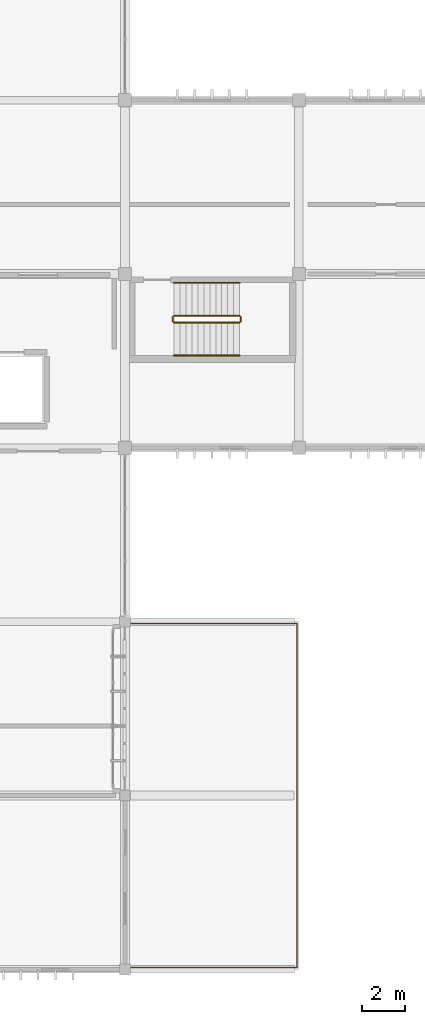
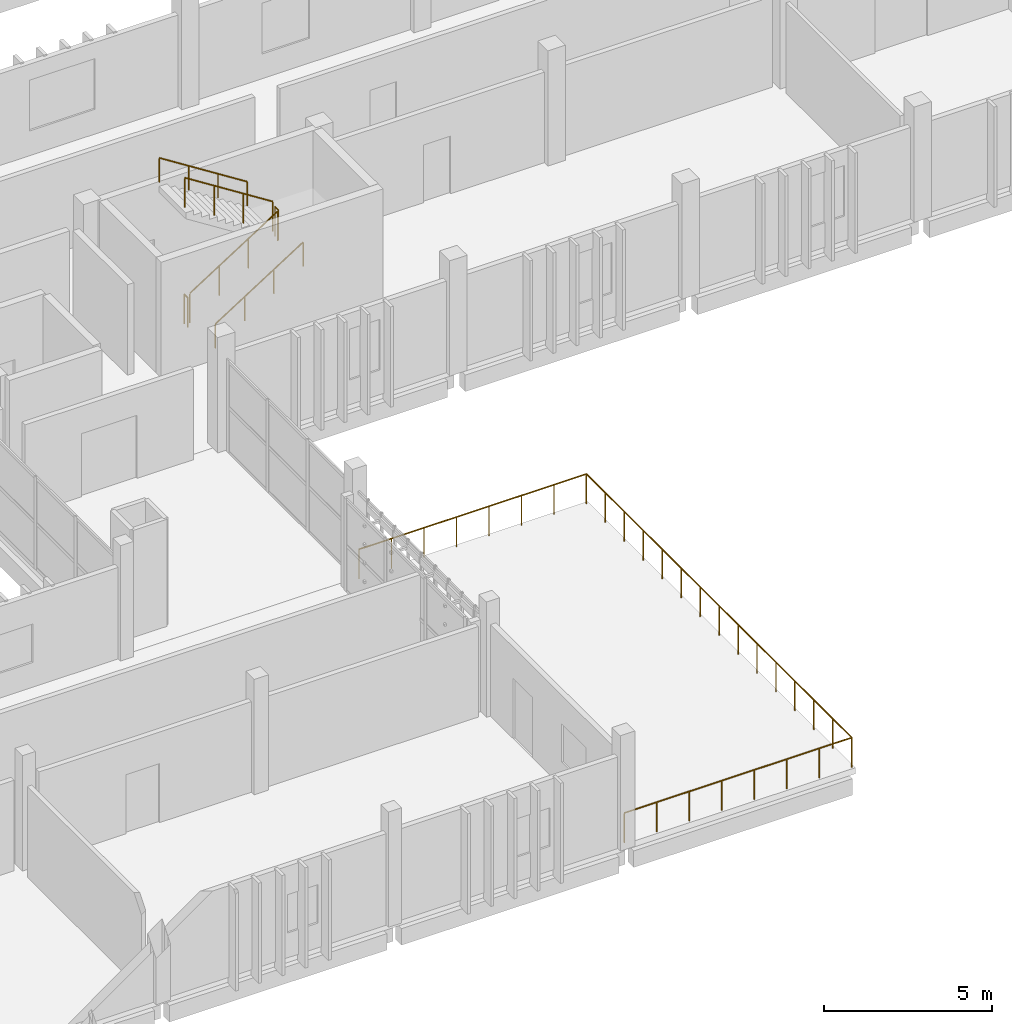
# One storey, part 62 of 63: 7 railings.
"""IFC4 building model written with IfcOpenShell, lengths in metres."""

from ifc_helpers import new_model, si_unit, direction, frame, origin, origin_2d, place, context, subcontext, project, spatial, circle, extrude, material, type_object, element, save


model = new_model("IFC4")

# Units and contexts
model_context = context("Model", 3, precision=1e-05, world=origin(), true_north=direction((0.0, 1.0)))
body_context = subcontext(model_context, "Body", "Model", "MODEL_VIEW")
ifc_project = project(units=[si_unit("LENGTHUNIT", "METRE"), si_unit("AREAUNIT", "SQUARE_METRE"), si_unit("VOLUMEUNIT", "CUBIC_METRE"), si_unit("PLANEANGLEUNIT", "RADIAN"), si_unit("MASSUNIT", "GRAM", prefix="KILO")], contexts=[model_context])

# Site, building, storey
site_placement = place(None, origin())
site = spatial("IfcSite", under=ifc_project, at=site_placement, CompositionType="ELEMENT")
building_placement = place(site_placement, origin())
building = spatial("IfcBuilding", under=site, at=building_placement, Name="Jelvoka-Kovrelna Polytechnic", CompositionType="ELEMENT")
storey_placement = place(building_placement, frame((0.0, 0.0, 18.0)))
storey = spatial("IfcBuildingStorey", under=building, at=storey_placement, Name="L05", CompositionType="ELEMENT", Elevation=18.0)

# Railings
ifc_material_1 = material(Name="Powder-coated steel stair guard", Category="steel")
railing_type_1 = type_object("IfcRailingType", Name="Railing_Stair_Guard_1100", PredefinedType="GUARDRAIL", material=ifc_material_1)
railing_1_placement = place(storey_placement, frame((154.25, 37.77001953125, 0.175048828125)))
element("IfcRailing", 1, at=railing_1_placement, inside=storey, type_object=railing_type_1, Name="L05 ST08 stair guard 1", PredefinedType="GUARDRAIL", context=body_context, shape_type="SweptSolid", body=[
    extrude(circle(Radius=0.02392578125, at=origin_2d()), frame((0.0, 0.0, 1.076171875), z_axis=(0.84364746871, 0.0, 0.536897521451), x_axis=(0.0, 1.0, 0.0)), (0.0, 0.0, 1.0), 3.58544921875),
    extrude(circle(Radius=0.02099609375, at=origin_2d()), origin(), (0.0, 0.0, 1.0), 1.052001953125),
    extrude(circle(Radius=0.02099609375, at=origin_2d()), frame((1.00830078125, 0.0, 0.6416015625)), (0.0, 0.0, 1.0), 1.052001953125),
    extrude(circle(Radius=0.02099609375, at=origin_2d()), frame((2.0166015625, 0.0, 1.283447265625)), (0.0, 0.0, 1.0), 1.052001953125),
    extrude(circle(Radius=0.02099609375, at=origin_2d()), frame((3.02490234375, 0.0, 1.925048828125)), (0.0, 0.0, 1.0), 1.052001953125),
])
railing_2_placement = place(storey_placement, frame((157.324951171875, 37.820068359375, 2.10009765625)))
element("IfcRailing", 2, at=railing_2_placement, inside=storey, type_object=railing_type_1, Name="L05 ST08 stair guard 2", PredefinedType="GUARDRAIL", context=body_context, shape_type="SweptSolid", body=[
    extrude(circle(Radius=0.02392578125, at=origin_2d()), frame((0.0, 0.0, 1.076171875), z_axis=(0.0, 1.0, 0.0), x_axis=(-1.0, 0.0, 0.0)), (0.0, 0.0, 1.0), 0.199951171875),
    extrude(circle(Radius=0.02099609375, at=origin_2d()), origin(), (0.0, 0.0, 1.0), 1.052001953125),
    extrude(circle(Radius=0.02099609375, at=origin_2d()), frame((0.0, 0.199951171875, 0.0)), (0.0, 0.0, 1.0), 1.052001953125),
])
railing_3_placement = place(storey_placement, frame((157.27490234375, 38.070068359375, 2.27490234375)))
element("IfcRailing", 3, at=railing_3_placement, inside=storey, type_object=railing_type_1, Name="L05 ST08 stair guard 3", PredefinedType="GUARDRAIL", context=body_context, shape_type="SweptSolid", body=[
    extrude(circle(Radius=0.02392578125, at=origin_2d()), frame((0.0, 0.0, 1.076171875), z_axis=(-0.84364746871, 0.0, 0.536897521451), x_axis=(0.0, -1.0, 0.0)), (0.0, 0.0, 1.0), 3.58544921875),
    extrude(circle(Radius=0.02099609375, at=origin_2d()), origin(), (0.0, 0.0, 1.0), 1.052001953125),
    extrude(circle(Radius=0.02099609375, at=origin_2d()), frame((-1.00830078125, 0.0, 0.6416015625)), (0.0, 0.0, 1.0), 1.052001953125),
    extrude(circle(Radius=0.02099609375, at=origin_2d()), frame((-2.0166015625, 0.0, 1.283447265625)), (0.0, 0.0, 1.0), 1.052001953125),
    extrude(circle(Radius=0.02099609375, at=origin_2d()), frame((-3.02490234375, 0.0, 1.925048828125)), (0.0, 0.0, 1.0), 1.052001953125),
])
railing_4_placement = place(storey_placement, frame((154.199951171875, 37.820068359375, 0.0)))
element("IfcRailing", 4, at=railing_4_placement, inside=storey, type_object=railing_type_1, Name="L05 ST08 stair guard 4", PredefinedType="GUARDRAIL", context=body_context, shape_type="SweptSolid", body=[
    extrude(circle(Radius=0.02392578125, at=origin_2d()), frame((0.0, 0.0, 1.076171875), z_axis=(0.0, 1.0, 0.0), x_axis=(-1.0, 0.0, 0.0)), (0.0, 0.0, 1.0), 0.199951171875),
    extrude(circle(Radius=0.02099609375, at=origin_2d()), origin(), (0.0, 0.0, 1.0), 1.052001953125),
    extrude(circle(Radius=0.02099609375, at=origin_2d()), frame((0.0, 0.199951171875, 0.0)), (0.0, 0.0, 1.0), 1.052001953125),
])
ifc_material_2 = material(Name="Brushed stainless steel handrail", Category="steel")
railing_type_2 = type_object("IfcRailingType", Name="Railing_Stair_Handrail_900", PredefinedType="HANDRAIL", material=ifc_material_2)
railing_5_placement = place(storey_placement, frame((154.25, 36.25, 0.175048828125)))
element("IfcRailing", 5, at=railing_5_placement, inside=storey, type_object=railing_type_2, Name="L05 ST08 stair handrail 1", PredefinedType="HANDRAIL", context=body_context, shape_type="SweptSolid", body=[
    extrude(circle(Radius=0.02392578125, at=origin_2d()), frame((0.0, 0.0, 0.8759765625), z_axis=(0.84364746871, 0.0, 0.536897521451), x_axis=(0.0, 1.0, 0.0)), (0.0, 0.0, 1.0), 3.58544921875),
    extrude(circle(Radius=0.02099609375, at=origin_2d()), origin(), (0.0, 0.0, 1.0), 0.851806640625),
    extrude(circle(Radius=0.02099609375, at=origin_2d()), frame((1.00830078125, 0.0, 0.6416015625)), (0.0, 0.0, 1.0), 0.851806640625),
    extrude(circle(Radius=0.02099609375, at=origin_2d()), frame((2.0166015625, 0.0, 1.283447265625)), (0.0, 0.0, 1.0), 0.851806640625),
    extrude(circle(Radius=0.02099609375, at=origin_2d()), frame((3.02490234375, 0.0, 1.925048828125)), (0.0, 0.0, 1.0), 0.851806640625),
])
railing_6_placement = place(storey_placement, frame((157.27490234375, 39.590087890625, 2.27490234375)))
element("IfcRailing", 6, at=railing_6_placement, inside=storey, type_object=railing_type_2, Name="L05 ST08 stair handrail 2", PredefinedType="HANDRAIL", context=body_context, shape_type="SweptSolid", body=[
    extrude(circle(Radius=0.02392578125, at=origin_2d()), frame((0.0, 0.0, 0.8759765625), z_axis=(-0.84364746871, 0.0, 0.536897521451), x_axis=(0.0, -1.0, 0.0)), (0.0, 0.0, 1.0), 3.58544921875),
    extrude(circle(Radius=0.02099609375, at=origin_2d()), origin(), (0.0, 0.0, 1.0), 0.851806640625),
    extrude(circle(Radius=0.02099609375, at=origin_2d()), frame((-1.00830078125, 0.0, 0.6416015625)), (0.0, 0.0, 1.0), 0.851806640625),
    extrude(circle(Radius=0.02099609375, at=origin_2d()), frame((-2.0166015625, 0.0, 1.283447265625)), (0.0, 0.0, 1.0), 0.851806640625),
    extrude(circle(Radius=0.02099609375, at=origin_2d()), frame((-3.02490234375, 0.0, 1.925048828125)), (0.0, 0.0, 1.0), 0.851806640625),
])
ifc_material_3 = material(Name="Brushed stainless steel Grade 316", Category="steel")
railing_type_3 = type_object("IfcRailingType", Name="Railing_Terrace_Guard_1100", PredefinedType="GUARDRAIL", material=ifc_material_3)
railing_7_placement = place(storey_placement, frame((152.080078125, 8.080078125, 0.0)))
element("IfcRailing", 7, at=railing_7_placement, inside=storey, type_object=railing_type_3, Name="L05 terrace perimeter guard TER-L05-B1E", PredefinedType="GUARDRAIL", context=body_context, shape_type="SweptSolid", body=[
    extrude(circle(Radius=0.02392578125, at=origin_2d()), frame((0.0, 0.0, 1.076171875), z_axis=(1.0, 0.0, 0.0), x_axis=(0.0, 1.0, 0.0)), (0.0, 0.0, 1.0), 7.83984375),
    extrude(circle(Radius=0.02392578125, at=origin_2d()), frame((7.83984375, 0.0, 1.076171875), z_axis=(0.0, 1.0, 0.0), x_axis=(-1.0, 0.0, 0.0)), (0.0, 0.0, 1.0), 15.83984375),
    extrude(circle(Radius=0.02392578125, at=origin_2d()), frame((7.83984375, 15.83984375, 1.076171875), z_axis=(-1.0, 0.0, 0.0), x_axis=(0.0, -1.0, 0.0)), (0.0, 0.0, 1.0), 7.83984375),
    extrude(circle(Radius=0.02099609375, at=origin_2d()), origin(), (0.0, 0.0, 1.0), 1.052001953125),
    extrude(circle(Radius=0.02099609375, at=origin_2d()), frame((1.119873046875, 0.0, 0.0)), (0.0, 0.0, 1.0), 1.052001953125),
    extrude(circle(Radius=0.02099609375, at=origin_2d()), frame((2.239990234375, 0.0, 0.0)), (0.0, 0.0, 1.0), 1.052001953125),
    extrude(circle(Radius=0.02099609375, at=origin_2d()), frame((3.35986328125, 0.0, 0.0)), (0.0, 0.0, 1.0), 1.052001953125),
    extrude(circle(Radius=0.02099609375, at=origin_2d()), frame((4.47998046875, 0.0, 0.0)), (0.0, 0.0, 1.0), 1.052001953125),
    extrude(circle(Radius=0.02099609375, at=origin_2d()), frame((5.599853515625, 0.0, 0.0)), (0.0, 0.0, 1.0), 1.052001953125),
    extrude(circle(Radius=0.02099609375, at=origin_2d()), frame((6.719970703125, 0.0, 0.0)), (0.0, 0.0, 1.0), 1.052001953125),
    extrude(circle(Radius=0.02099609375, at=origin_2d()), frame((7.83984375, 0.0, 0.0)), (0.0, 0.0, 1.0), 1.052001953125),
    extrude(circle(Radius=0.02099609375, at=origin_2d()), frame((7.83984375, 1.13134765625, 0.0)), (0.0, 0.0, 1.0), 1.052001953125),
    extrude(circle(Radius=0.02099609375, at=origin_2d()), frame((7.83984375, 2.262939453125, 0.0)), (0.0, 0.0, 1.0), 1.052001953125),
    extrude(circle(Radius=0.02099609375, at=origin_2d()), frame((7.83984375, 3.394287109375, 0.0)), (0.0, 0.0, 1.0), 1.052001953125),
    extrude(circle(Radius=0.02099609375, at=origin_2d()), frame((7.83984375, 4.525634765625, 0.0)), (0.0, 0.0, 1.0), 1.052001953125),
    extrude(circle(Radius=0.02099609375, at=origin_2d()), frame((7.83984375, 5.656982421875, 0.0)), (0.0, 0.0, 1.0), 1.052001953125),
    extrude(circle(Radius=0.02099609375, at=origin_2d()), frame((7.83984375, 6.78857421875, 0.0)), (0.0, 0.0, 1.0), 1.052001953125),
    extrude(circle(Radius=0.02099609375, at=origin_2d()), frame((7.83984375, 7.919921875, 0.0)), (0.0, 0.0, 1.0), 1.052001953125),
    extrude(circle(Radius=0.02099609375, at=origin_2d()), frame((7.83984375, 9.05126953125, 0.0)), (0.0, 0.0, 1.0), 1.052001953125),
    extrude(circle(Radius=0.02099609375, at=origin_2d()), frame((7.83984375, 10.182861328125, 0.0)), (0.0, 0.0, 1.0), 1.052001953125),
    extrude(circle(Radius=0.02099609375, at=origin_2d()), frame((7.83984375, 11.314208984375, 0.0)), (0.0, 0.0, 1.0), 1.052001953125),
    extrude(circle(Radius=0.02099609375, at=origin_2d()), frame((7.83984375, 12.445556640625, 0.0)), (0.0, 0.0, 1.0), 1.052001953125),
    extrude(circle(Radius=0.02099609375, at=origin_2d()), frame((7.83984375, 13.576904296875, 0.0)), (0.0, 0.0, 1.0), 1.052001953125),
    extrude(circle(Radius=0.02099609375, at=origin_2d()), frame((7.83984375, 14.70849609375, 0.0)), (0.0, 0.0, 1.0), 1.052001953125),
    extrude(circle(Radius=0.02099609375, at=origin_2d()), frame((7.83984375, 15.83984375, 0.0)), (0.0, 0.0, 1.0), 1.052001953125),
    extrude(circle(Radius=0.02099609375, at=origin_2d()), frame((6.719970703125, 15.83984375, 0.0)), (0.0, 0.0, 1.0), 1.052001953125),
    extrude(circle(Radius=0.02099609375, at=origin_2d()), frame((5.599853515625, 15.83984375, 0.0)), (0.0, 0.0, 1.0), 1.052001953125),
    extrude(circle(Radius=0.02099609375, at=origin_2d()), frame((4.47998046875, 15.83984375, 0.0)), (0.0, 0.0, 1.0), 1.052001953125),
    extrude(circle(Radius=0.02099609375, at=origin_2d()), frame((3.35986328125, 15.83984375, 0.0)), (0.0, 0.0, 1.0), 1.052001953125),
    extrude(circle(Radius=0.02099609375, at=origin_2d()), frame((2.239990234375, 15.83984375, 0.0)), (0.0, 0.0, 1.0), 1.052001953125),
    extrude(circle(Radius=0.02099609375, at=origin_2d()), frame((1.119873046875, 15.83984375, 0.0)), (0.0, 0.0, 1.0), 1.052001953125),
    extrude(circle(Radius=0.02099609375, at=origin_2d()), frame((0.0, 15.83984375, 0.0)), (0.0, 0.0, 1.0), 1.052001953125),
])

save(model, "model.ifc")
